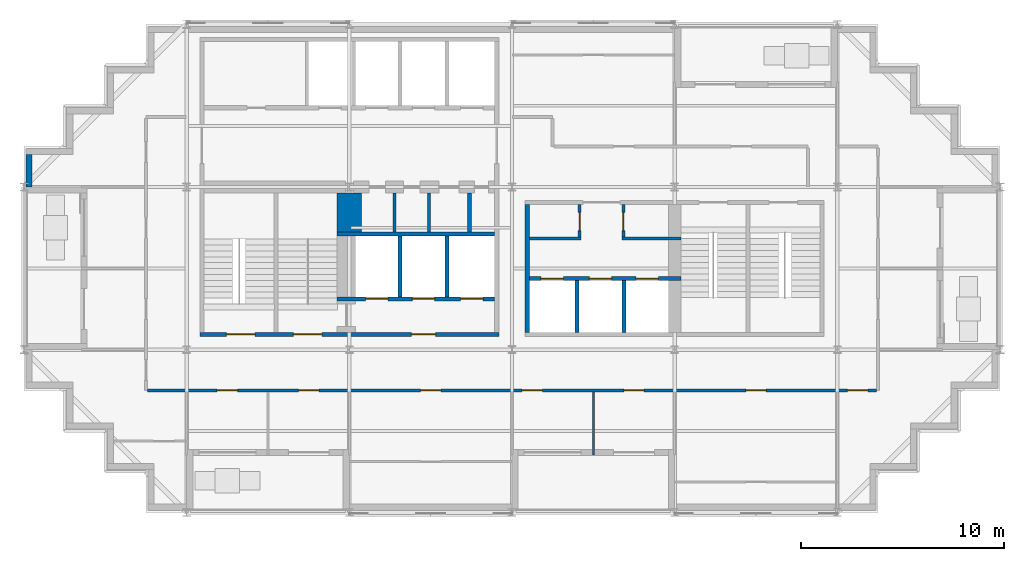
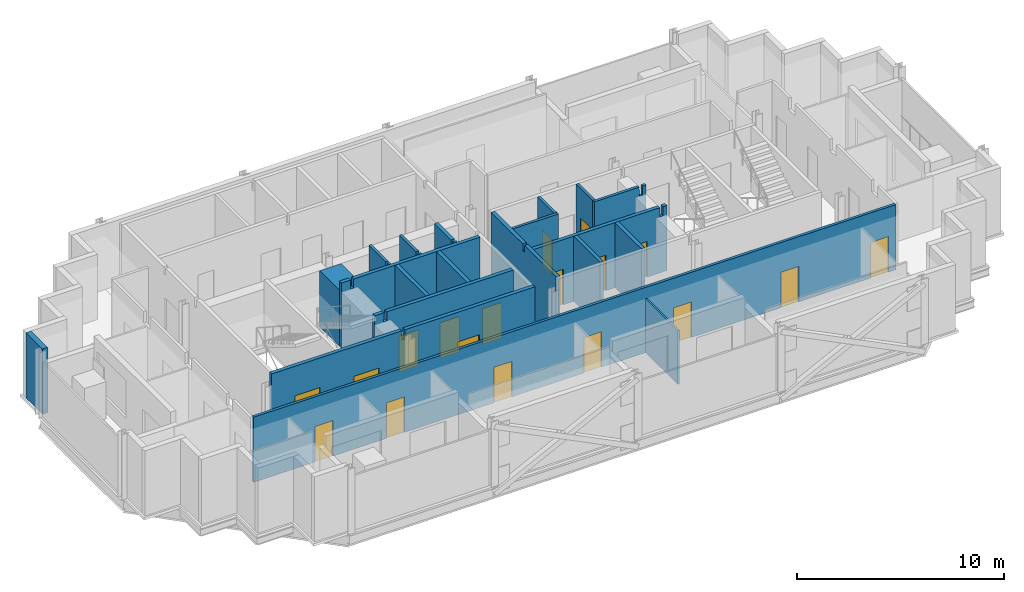
# One storey, part 5 of 10: 20 walls, 18 doors, 18 openings.
"""IFC4 building model written with IfcOpenShell, lengths in metres."""

from ifc_helpers import new_model, si_unit, direction, frame, frame_2d, origin, place, context, subcontext, project, spatial, polyline, rectangle, outline, extrude, material, layer, layer_set, type_object, element, fill, save


model = new_model("IFC4")

# Units and contexts
model_context = context("Model", 3, precision=1e-05, world=origin(), true_north=direction((0.0, 1.0)))
body_context = subcontext(model_context, "Body", "Model", "MODEL_VIEW")
ifc_project = project(units=[si_unit("LENGTHUNIT", "METRE"), si_unit("AREAUNIT", "SQUARE_METRE"), si_unit("VOLUMEUNIT", "CUBIC_METRE"), si_unit("PLANEANGLEUNIT", "RADIAN"), si_unit("MASSUNIT", "GRAM", prefix="KILO")], contexts=[model_context])

# Site, building, storey
site_placement = place(None, origin())
site = spatial("IfcSite", under=ifc_project, at=site_placement, CompositionType="ELEMENT")
building_placement = place(site_placement, origin())
building = spatial("IfcBuilding", under=site, at=building_placement, Name="Immortelle Media Tower", CompositionType="ELEMENT")
storey_placement = place(building_placement, frame((0.0, 0.0, 251.0)))
storey = spatial("IfcBuildingStorey", under=building, at=storey_placement, Name="L54", CompositionType="ELEMENT", Elevation=251.0)

# Walls
ifc_material_1 = material(Name="Fire-rated gypsum board", Category="gypsum")
ifc_layer_1 = layer(ifc_material_1, 0.02490234375)
ifc_material_2 = material(Name="Steel ASTM A653 SS Gr 50 stud frame with mineral wool", Category="steel")
ifc_layer_2 = layer(ifc_material_2, 0.10009765625)
ifc_layer_3 = layer(ifc_material_1, 0.02490234375)
ifc_layer_set_1 = layer_set([ifc_layer_1, ifc_layer_2, ifc_layer_3], Name="Steel ASTM A653 SS Gr 50 stud frame with mineral wool")
wall_type_1 = type_object("IfcWallType", Name="Core partition 150", PredefinedType="PARTITIONING", material=ifc_layer_set_1)
for number, where, z_axis, x_axis, name in (
    (1, (18.22509765625, 13.800048828125, 0.0), (0.0, 0.0, 1.0), (0.0, 1.0, 0.0), "Core partition SW"),
    (2, (19.925048828125, 13.800048828125, 0.0), (0.0, 0.0, 1.0), (0.0, 1.0, 0.0), "Core partition SW"),
):
    element("IfcWall", number, at=place(storey_placement, frame(where, z_axis=z_axis, x_axis=x_axis)), inside=storey, type_object=wall_type_1, Name=name, PredefinedType="PARTITIONING", context=body_context, shape_type="SweptSolid", body=[
        extrude(outline(polyline([(0.0, 0.0), (1.89990234375, 0.0), (1.89990234375, 3.85009765625), (0.27490234375, 3.85009765625), (0.27392578125, 3.43994140625), (0.1259765625, 3.43994140625), (0.125, 3.85009765625), (0.0, 3.85009765625), (0.0, 0.0)])), frame((0.0, 0.074951171875, 0.0), z_axis=(0.0, -1.0, 0.0), x_axis=(1.0, 0.0, 0.0)), (0.0, 0.0, 1.0), 0.14990234375),
    ])
wall_1_placement = place(storey_placement, frame((24.85009765625, 13.47509765625, 0.0), z_axis=(0.0, 0.0, 1.0), x_axis=(1.0, 0.0, 0.0)))
element("IfcWall", 3, at=wall_1_placement, inside=storey, type_object=wall_type_1, Name="Core partition SE", PredefinedType="PARTITIONING", context=body_context, shape_type="SweptSolid", body=[
    extrude(rectangle(XDim=2.5498046875, YDim=0.14990234375, at=frame_2d((1.27490234375, 0.0))), origin(), (0.0, 0.0, 1.0), 3.85009765625),
])

# Wall, opening, door
wall_2_placement = place(storey_placement, frame((27.324951171875, 13.550048828125, 0.0), z_axis=(0.0, 0.0, 1.0), x_axis=(0.0, 1.0, 0.0)))
wall_2 = element("IfcWall", 4, at=wall_2_placement, inside=storey, type_object=wall_type_1, Name="Core partition SE", PredefinedType="PARTITIONING", context=body_context, shape_type="SweptSolid", body=[
    extrude(rectangle(XDim=1.599853515625, YDim=0.14990234375, at=frame_2d((0.7998046875, 0.0))), origin(), (0.0, 0.0, 1.0), 3.85009765625),
])
opening_1_placement = place(wall_2_placement, frame((0.300048828125, 0.0, 0.0)))
opening_1 = element("IfcOpeningElement", 5, at=opening_1_placement, cuts=wall_2, Name="Opening X1-K020", PredefinedType="OPENING", context=body_context, shape_type="SweptSolid", body=[
    extrude(rectangle(XDim=0.89990234375, YDim=2.10009765625, at=frame_2d((0.449951171875, 1.050048828125))), frame((0.0, 0.0849609375, 0.0), z_axis=(0.0, -1.0, 0.0), x_axis=(1.0, 0.0, 0.0)), (0.0, 0.0, 1.0), 0.169921875),
])
ifc_material_3 = material(Name="Galvanised steel door leaf and frame ASTM A653", Category="steel")
door_type_1 = type_object("IfcDoorType", Name="Service door 900 x 2100", OperationType="NOTDEFINED", PredefinedType="NOTDEFINED", material=ifc_material_3)
door_1_placement = place(opening_1_placement, origin())
door_1 = element("IfcDoor", 6, at=door_1_placement, inside=storey, type_object=door_type_1, Name="Service X1-K020", OperationType="SINGLE_SWING_LEFT", OverallHeight=2.10009765625, OverallWidth=0.89990234375, PredefinedType="NOTDEFINED", context=body_context, shape_type="SweptSolid", body=[
    extrude(rectangle(XDim=0.89990234375, YDim=2.10009765625, at=frame_2d((0.449951171875, 1.050048828125))), frame((0.0, 0.02490234375, 0.0), z_axis=(0.0, -1.0, 0.0), x_axis=(1.0, 0.0, 0.0)), (0.0, 0.0, 1.0), 0.050048828125),
])
fill(opening_1, door_1)

# Wall
wall_3_placement = place(storey_placement, frame((29.39990234375, 13.47509765625, 0.0), z_axis=(0.0, 0.0, 1.0), x_axis=(1.0, 0.0, 0.0)))
element("IfcWall", 7, at=wall_3_placement, inside=storey, type_object=wall_type_1, Name="Core partition SE", PredefinedType="PARTITIONING", context=body_context, shape_type="SweptSolid", body=[
    extrude(outline(polyline([(0.0, 0.0), (2.900146484375, 0.0), (2.89990234375, 3.85009765625), (2.6884765625, 3.85009765625), (2.6875, 3.30810546875), (2.512451171875, 3.30810546875), (2.511474609375, 3.85009765625), (0.0, 3.85009765625), (0.0, 0.0)])), frame((0.0, 0.074951171875, 0.0), z_axis=(0.0, -1.0, 0.0), x_axis=(1.0, 0.0, 0.0)), (0.0, 0.0, 1.0), 0.14990234375),
])

# Wall, opening, door
wall_4_placement = place(storey_placement, frame((29.47509765625, 13.550048828125, 0.0), z_axis=(0.0, 0.0, 1.0), x_axis=(0.0, 1.0, 0.0)))
wall_4 = element("IfcWall", 8, at=wall_4_placement, inside=storey, type_object=wall_type_1, Name="Core partition SE", PredefinedType="PARTITIONING", context=body_context, shape_type="SweptSolid", body=[
    extrude(rectangle(XDim=1.599853515625, YDim=0.14990234375, at=frame_2d((0.7998046875, 0.0))), origin(), (0.0, 0.0, 1.0), 3.85009765625),
])
opening_2_placement = place(wall_4_placement, frame((1.199951171875, 0.0, 0.0), z_axis=(0.0, 0.0, 1.0), x_axis=(-1.0, 0.0, 0.0)))
opening_2 = element("IfcOpeningElement", 9, at=opening_2_placement, cuts=wall_4, Name="Opening X1-K023", PredefinedType="OPENING", context=body_context, shape_type="SweptSolid", body=[
    extrude(rectangle(XDim=0.89990234375, YDim=2.10009765625, at=frame_2d((0.449951171875, 1.050048828125))), frame((0.0, 0.0849609375, 0.0), z_axis=(0.0, -1.0, 0.0), x_axis=(1.0, 0.0, 0.0)), (0.0, 0.0, 1.0), 0.169921875),
])
ifc_material_4 = material(Name="Timber", Category="wood")
door_type_2 = type_object("IfcDoorType", Name="Room door 900 x 2100", OperationType="NOTDEFINED", PredefinedType="NOTDEFINED", material=ifc_material_4)
door_2_placement = place(opening_2_placement, origin())
door_2 = element("IfcDoor", 10, at=door_2_placement, inside=storey, type_object=door_type_2, Name="Room X1-K023", OperationType="SINGLE_SWING_LEFT", OverallHeight=2.10009765625, OverallWidth=0.89990234375, PredefinedType="NOTDEFINED", context=body_context, shape_type="SweptSolid", body=[
    extrude(rectangle(XDim=0.89990234375, YDim=2.10009765625, at=frame_2d((0.449951171875, 1.050048828125))), frame((0.0, 0.02490234375, 0.0), z_axis=(0.0, -1.0, 0.0), x_axis=(1.0, 0.0, 0.0)), (0.0, 0.0, 1.0), 0.050048828125),
])
fill(opening_2, door_2)

# Wall, openings, doors
ifc_layer_4 = layer(ifc_material_1, 0.03759765625)
ifc_layer_5 = layer(ifc_material_2, 0.125)
ifc_layer_6 = layer(ifc_material_1, 0.03759765625)
ifc_layer_set_2 = layer_set([ifc_layer_4, ifc_layer_5, ifc_layer_6], Name="Steel ASTM A653 SS Gr 50 stud frame with mineral wool")
wall_type_2 = type_object("IfcWallType", Name="Core shaft wall 200", PredefinedType="PARTITIONING", material=ifc_layer_set_2)
wall_5_placement = place(storey_placement, frame((15.39990234375, 10.5, 0.0), z_axis=(0.0, 0.0, 1.0), x_axis=(1.0, 0.0, 0.0)))
wall_5 = element("IfcWall", 11, at=wall_5_placement, inside=storey, type_object=wall_type_2, Name="Core shaft wall SW", PredefinedType="PARTITIONING", context=body_context, shape_type="SweptSolid", body=[
    extrude(outline(polyline([(0.0, 0.0), (7.75, 0.0), (7.75, 3.85009765625), (0.6884765625, 3.85009765625), (0.6875, 3.30810546875), (0.512451171875, 3.30810546875), (0.511474609375, 3.85009765625), (0.0, 3.85009765625), (0.0, 0.0)])), frame((0.0, 0.10009765625, 0.0), z_axis=(0.0, -1.0, 0.0), x_axis=(1.0, 0.0, 0.0)), (0.0, 0.0, 1.0), 0.199951171875),
])
opening_3_placement = place(wall_5_placement, frame((1.39990234375, 0.0, 0.0)))
opening_3 = element("IfcOpeningElement", 12, at=opening_3_placement, cuts=wall_5, Name="Opening LD", PredefinedType="OPENING", context=body_context, shape_type="SweptSolid", body=[
    extrude(rectangle(XDim=1.10009765625, YDim=2.10009765625, at=frame_2d((0.550048828125, 1.050048828125))), frame((0.0, 0.10986328125, 0.0), z_axis=(0.0, -1.0, 0.0), x_axis=(1.0, 0.0, 0.0)), (0.0, 0.0, 1.0), 0.219970703125),
])
opening_4_placement = place(wall_5_placement, frame((3.699951171875, 0.0, 0.0)))
opening_4 = element("IfcOpeningElement", 13, at=opening_4_placement, cuts=wall_5, Name="Opening LD", PredefinedType="OPENING", context=body_context, shape_type="SweptSolid", body=[
    extrude(rectangle(XDim=1.10009765625, YDim=2.10009765625, at=frame_2d((0.550048828125, 1.050048828125))), frame((0.0, 0.10986328125, 0.0), z_axis=(0.0, -1.0, 0.0), x_axis=(1.0, 0.0, 0.0)), (0.0, 0.0, 1.0), 0.219970703125),
])
opening_5_placement = place(wall_5_placement, frame((6.074951171875, 0.0, 0.0)))
opening_5 = element("IfcOpeningElement", 14, at=opening_5_placement, cuts=wall_5, Name="Opening LD", PredefinedType="OPENING", context=body_context, shape_type="SweptSolid", body=[
    extrude(rectangle(XDim=1.10009765625, YDim=2.10009765625, at=frame_2d((0.550048828125, 1.050048828125))), frame((0.0, 0.10986328125, 0.0), z_axis=(0.0, -1.0, 0.0), x_axis=(1.0, 0.0, 0.0)), (0.0, 0.0, 1.0), 0.219970703125),
])
ifc_material_5 = material(Name="Stainless steel AISI 304", Category="steel")
door_type_3 = type_object("IfcDoorType", Name="Landing door 1100 x 2100", OperationType="SLIDING_TO_LEFT", PredefinedType="NOTDEFINED", material=ifc_material_5)
door_3_placement = place(opening_3_placement, origin())
door_3 = element("IfcDoor", 15, at=door_3_placement, inside=storey, type_object=door_type_3, Name="Landing door FF1 L54", OperationType="SLIDING_TO_LEFT", OverallHeight=2.10009765625, OverallWidth=1.10009765625, PredefinedType="NOTDEFINED", context=body_context, shape_type="SweptSolid", body=[
    extrude(rectangle(XDim=1.10009765625, YDim=2.10009765625, at=frame_2d((0.550048828125, 1.050048828125))), frame((0.0, 0.02490234375, 0.0), z_axis=(0.0, -1.0, 0.0), x_axis=(1.0, 0.0, 0.0)), (0.0, 0.0, 1.0), 0.050048828125),
])
fill(opening_3, door_3)
door_4_placement = place(opening_4_placement, origin())
door_4 = element("IfcDoor", 16, at=door_4_placement, inside=storey, type_object=door_type_3, Name="Landing door FF2 L54", OperationType="SLIDING_TO_LEFT", OverallHeight=2.10009765625, OverallWidth=1.10009765625, PredefinedType="NOTDEFINED", context=body_context, shape_type="SweptSolid", body=[
    extrude(rectangle(XDim=1.10009765625, YDim=2.10009765625, at=frame_2d((0.550048828125, 1.050048828125))), frame((0.0, 0.02490234375, 0.0), z_axis=(0.0, -1.0, 0.0), x_axis=(1.0, 0.0, 0.0)), (0.0, 0.0, 1.0), 0.050048828125),
])
fill(opening_4, door_4)
door_5_placement = place(opening_5_placement, origin())
door_5 = element("IfcDoor", 17, at=door_5_placement, inside=storey, type_object=door_type_3, Name="Landing door FF3 L54", OperationType="SLIDING_TO_LEFT", OverallHeight=2.10009765625, OverallWidth=1.10009765625, PredefinedType="NOTDEFINED", context=body_context, shape_type="SweptSolid", body=[
    extrude(rectangle(XDim=1.10009765625, YDim=2.10009765625, at=frame_2d((0.550048828125, 1.050048828125))), frame((0.0, 0.02490234375, 0.0), z_axis=(0.0, -1.0, 0.0), x_axis=(1.0, 0.0, 0.0)), (0.0, 0.0, 1.0), 0.050048828125),
])
fill(opening_5, door_5)

# Walls
wall_6_placement = place(storey_placement, frame((15.39990234375, 13.699951171875, 0.0), z_axis=(0.0, 0.0, 1.0), x_axis=(1.0, 0.0, 0.0)))
element("IfcWall", 18, at=wall_6_placement, inside=storey, type_object=wall_type_2, Name="Core shaft wall SW", PredefinedType="PARTITIONING", context=body_context, shape_type="SweptSolid", body=[
    extrude(outline(polyline([(0.0, 0.0), (7.75, 0.0), (7.75, 3.85009765625), (0.6884765625, 3.85009765625), (0.6875, 3.30810546875), (0.512451171875, 3.30810546875), (0.511474609375, 3.85009765625), (0.0, 3.85009765625), (0.0, 0.0)])), frame((0.0, 0.10009765625, 0.0), z_axis=(0.0, -1.0, 0.0), x_axis=(1.0, 0.0, 0.0)), (0.0, 0.0, 1.0), 0.199951171875),
])
for number, where, z_axis, x_axis, name in (
    (19, (18.5, 10.60009765625, 0.0), (0.0, 0.0, 1.0), (0.0, 1.0, 0.0), "Core shaft wall SW"),
    (20, (20.800048828125, 10.60009765625, 0.0), (0.0, 0.0, 1.0), (0.0, 1.0, 0.0), "Core shaft wall SW"),
):
    element("IfcWall", number, at=place(storey_placement, frame(where, z_axis=z_axis, x_axis=x_axis)), inside=storey, type_object=wall_type_2, Name=name, PredefinedType="PARTITIONING", context=body_context, shape_type="SweptSolid", body=[
        extrude(rectangle(XDim=3.0, YDim=0.199951171875, at=frame_2d((1.5, 0.0))), origin(), (0.0, 0.0, 1.0), 3.85009765625),
    ])
wall_7_placement = place(storey_placement, frame((21.89990234375, 13.800048828125, 0.0), z_axis=(0.0, 0.0, 1.0), x_axis=(0.0, 1.0, 0.0)))
element("IfcWall", 21, at=wall_7_placement, inside=storey, type_object=wall_type_2, Name="Core shaft wall SW", PredefinedType="PARTITIONING", context=body_context, shape_type="SweptSolid", body=[
    extrude(outline(polyline([(0.0, 0.0), (1.89990234375, 0.0), (1.89990234375, 3.85009765625), (0.27490234375, 3.85009765625), (0.27392578125, 3.43994140625), (0.1259765625, 3.43994140625), (0.125, 3.85009765625), (0.0, 3.85009765625), (0.0, 0.0)])), frame((0.0, 0.10009765625, 0.0), z_axis=(0.0, -1.0, 0.0), x_axis=(1.0, 0.0, 0.0)), (0.0, 0.0, 1.0), 0.199951171875),
])
wall_8_placement = place(storey_placement, frame((24.75, 8.85009765625, 0.0), z_axis=(0.0, 0.0, 1.0), x_axis=(0.0, 1.0, 0.0)))
element("IfcWall", 22, at=wall_8_placement, inside=storey, type_object=wall_type_2, Name="Core shaft wall SE", PredefinedType="PARTITIONING", context=body_context, shape_type="SweptSolid", body=[
    extrude(outline(polyline([(0.0, 0.0), (6.2998046875, 0.0), (6.300048828125, 3.85009765625), (3.22509765625, 3.85009765625), (3.22412109375, 3.43994140625), (3.075927734375, 3.43994140625), (3.074951171875, 3.85009765625), (0.0, 3.85009765625), (0.0, 0.0)])), frame((0.0, 0.10009765625, 0.0), z_axis=(0.0, -1.0, 0.0), x_axis=(1.0, 0.0, 0.0)), (0.0, 0.0, 1.0), 0.199951171875),
])

# Wall, openings, doors
wall_9_placement = place(storey_placement, frame((24.85009765625, 11.5, 0.0), z_axis=(0.0, 0.0, 1.0), x_axis=(1.0, 0.0, 0.0)))
wall_9 = element("IfcWall", 23, at=wall_9_placement, inside=storey, type_object=wall_type_2, Name="Core shaft wall SE", PredefinedType="PARTITIONING", context=body_context, shape_type="SweptSolid", body=[
    extrude(outline(polyline([(0.0, 0.0), (7.449951171875, 0.0), (7.449951171875, 3.85009765625), (7.238525390625, 3.85009765625), (7.237548828125, 3.30810546875), (7.0625, 3.30810546875), (7.0615234375, 3.85009765625), (0.0, 3.85009765625), (0.0, 0.0)])), frame((0.0, 0.10009765625, 0.0), z_axis=(0.0, -1.0, 0.0), x_axis=(1.0, 0.0, 0.0)), (0.0, 0.0, 1.0), 0.199951171875),
])
opening_6_placement = place(wall_9_placement, frame((0.574951171875, 0.0, 0.0)))
opening_6 = element("IfcOpeningElement", 24, at=opening_6_placement, cuts=wall_9, Name="Opening LD", PredefinedType="OPENING", context=body_context, shape_type="SweptSolid", body=[
    extrude(rectangle(XDim=1.10009765625, YDim=2.10009765625, at=frame_2d((0.550048828125, 1.050048828125))), frame((0.0, 0.10986328125, 0.0), z_axis=(0.0, -1.0, 0.0), x_axis=(1.0, 0.0, 0.0)), (0.0, 0.0, 1.0), 0.219970703125),
])
opening_7_placement = place(wall_9_placement, frame((2.949951171875, 0.0, 0.0)))
opening_7 = element("IfcOpeningElement", 25, at=opening_7_placement, cuts=wall_9, Name="Opening LD", PredefinedType="OPENING", context=body_context, shape_type="SweptSolid", body=[
    extrude(rectangle(XDim=1.10009765625, YDim=2.10009765625, at=frame_2d((0.550048828125, 1.050048828125))), frame((0.0, 0.10986328125, 0.0), z_axis=(0.0, -1.0, 0.0), x_axis=(1.0, 0.0, 0.0)), (0.0, 0.0, 1.0), 0.219970703125),
])
opening_8_placement = place(wall_9_placement, frame((5.25, 0.0, 0.0)))
opening_8 = element("IfcOpeningElement", 26, at=opening_8_placement, cuts=wall_9, Name="Opening LD", PredefinedType="OPENING", context=body_context, shape_type="SweptSolid", body=[
    extrude(rectangle(XDim=1.10009765625, YDim=2.10009765625, at=frame_2d((0.550048828125, 1.050048828125))), frame((0.0, 0.10986328125, 0.0), z_axis=(0.0, -1.0, 0.0), x_axis=(1.0, 0.0, 0.0)), (0.0, 0.0, 1.0), 0.219970703125),
])
door_6_placement = place(opening_6_placement, origin())
door_6 = element("IfcDoor", 27, at=door_6_placement, inside=storey, type_object=door_type_3, Name="Landing door HS1 L54", OperationType="SLIDING_TO_LEFT", OverallHeight=2.10009765625, OverallWidth=1.10009765625, PredefinedType="NOTDEFINED", context=body_context, shape_type="SweptSolid", body=[
    extrude(rectangle(XDim=1.10009765625, YDim=2.10009765625, at=frame_2d((0.550048828125, 1.050048828125))), frame((0.0, 0.02490234375, 0.0), z_axis=(0.0, -1.0, 0.0), x_axis=(1.0, 0.0, 0.0)), (0.0, 0.0, 1.0), 0.050048828125),
])
fill(opening_6, door_6)
door_7_placement = place(opening_7_placement, origin())
door_7 = element("IfcDoor", 28, at=door_7_placement, inside=storey, type_object=door_type_3, Name="Landing door HS2 L54", OperationType="SLIDING_TO_LEFT", OverallHeight=2.10009765625, OverallWidth=1.10009765625, PredefinedType="NOTDEFINED", context=body_context, shape_type="SweptSolid", body=[
    extrude(rectangle(XDim=1.10009765625, YDim=2.10009765625, at=frame_2d((0.550048828125, 1.050048828125))), frame((0.0, 0.02490234375, 0.0), z_axis=(0.0, -1.0, 0.0), x_axis=(1.0, 0.0, 0.0)), (0.0, 0.0, 1.0), 0.050048828125),
])
fill(opening_7, door_7)
door_8_placement = place(opening_8_placement, origin())
door_8 = element("IfcDoor", 29, at=door_8_placement, inside=storey, type_object=door_type_3, Name="Landing door HS3 L54", OperationType="SLIDING_TO_LEFT", OverallHeight=2.10009765625, OverallWidth=1.10009765625, PredefinedType="NOTDEFINED", context=body_context, shape_type="SweptSolid", body=[
    extrude(rectangle(XDim=1.10009765625, YDim=2.10009765625, at=frame_2d((0.550048828125, 1.050048828125))), frame((0.0, 0.02490234375, 0.0), z_axis=(0.0, -1.0, 0.0), x_axis=(1.0, 0.0, 0.0)), (0.0, 0.0, 1.0), 0.050048828125),
])
fill(opening_8, door_8)

# Walls
for number, where, z_axis, x_axis, name in (
    (30, (27.199951171875, 8.85009765625, 0.0), (0.0, 0.0, 1.0), (0.0, 1.0, 0.0), "Core shaft wall SE"),
    (31, (29.5, 8.85009765625, 0.0), (0.0, 0.0, 1.0), (0.0, 1.0, 0.0), "Core shaft wall SE"),
):
    element("IfcWall", number, at=place(storey_placement, frame(where, z_axis=z_axis, x_axis=x_axis)), inside=storey, type_object=wall_type_2, Name=name, PredefinedType="PARTITIONING", context=body_context, shape_type="SweptSolid", body=[
        extrude(rectangle(XDim=2.5498046875, YDim=0.199951171875, at=frame_2d((1.27490234375, 0.0))), origin(), (0.0, 0.0, 1.0), 3.85009765625),
    ])

# Wall, openings, doors
ifc_layer_7 = layer(ifc_material_1, 0.012451171875)
ifc_layer_8 = layer(ifc_material_2, 0.125)
ifc_layer_9 = layer(ifc_material_1, 0.012451171875)
ifc_layer_set_3 = layer_set([ifc_layer_7, ifc_layer_8, ifc_layer_9], Name="Steel ASTM A653 SS Gr 50 stud frame with mineral wool")
wall_type_3 = type_object("IfcWallType", Name="Corridor wall 150", PredefinedType="PARTITIONING", material=ifc_layer_set_3)
wall_10_placement = place(storey_placement, frame((6.074951171875, 6.0, 0.0), z_axis=(0.0, 0.0, 1.0), x_axis=(1.0, 0.0, 0.0)))
wall_10 = element("IfcWall", 32, at=wall_10_placement, inside=storey, type_object=wall_type_3, Name="Partition L54-013", PredefinedType="PARTITIONING", context=body_context, shape_type="SweptSolid", body=[
    extrude(rectangle(XDim=35.85009765625, YDim=0.14990234375, at=frame_2d((17.925048828125, 0.0))), origin(), (0.0, 0.0, 1.0), 3.85009765625),
])
opening_9_placement = place(wall_10_placement, frame((14.425048828125, 0.0, 0.0), z_axis=(0.0, 0.0, 1.0), x_axis=(-1.0, 0.0, 0.0)))
opening_9 = element("IfcOpeningElement", 33, at=opening_9_placement, cuts=wall_10, Name="Opening X1-F001", PredefinedType="OPENING", context=body_context, shape_type="SweptSolid", body=[
    extrude(rectangle(XDim=1.0, YDim=2.10009765625, at=frame_2d((0.5, 1.050048828125))), frame((0.0, 0.0849609375, 0.0), z_axis=(0.0, -1.0, 0.0), x_axis=(1.0, 0.0, 0.0)), (0.0, 0.0, 1.0), 0.169921875),
])
opening_10_placement = place(wall_10_placement, frame((30.425048828125, 0.0, 0.0), z_axis=(0.0, 0.0, 1.0), x_axis=(-1.0, 0.0, 0.0)))
opening_10 = element("IfcOpeningElement", 34, at=opening_10_placement, cuts=wall_10, Name="Opening X1-F003", PredefinedType="OPENING", context=body_context, shape_type="SweptSolid", body=[
    extrude(rectangle(XDim=1.0, YDim=2.10009765625, at=frame_2d((0.5, 1.050048828125))), frame((0.0, 0.0849609375, 0.0), z_axis=(0.0, -1.0, 0.0), x_axis=(1.0, 0.0, 0.0)), (0.0, 0.0, 1.0), 0.169921875),
])
opening_11_placement = place(wall_10_placement, frame((4.425048828125, 0.0, 0.0), z_axis=(0.0, 0.0, 1.0), x_axis=(-1.0, 0.0, 0.0)))
opening_11 = element("IfcOpeningElement", 35, at=opening_11_placement, cuts=wall_10, Name="Opening X1-F005", PredefinedType="OPENING", context=body_context, shape_type="SweptSolid", body=[
    extrude(rectangle(XDim=1.0, YDim=2.10009765625, at=frame_2d((0.5, 1.050048828125))), frame((0.0, 0.0849609375, 0.0), z_axis=(0.0, -1.0, 0.0), x_axis=(1.0, 0.0, 0.0)), (0.0, 0.0, 1.0), 0.169921875),
])
opening_12_placement = place(wall_10_placement, frame((8.425048828125, 0.0, 0.0), z_axis=(0.0, 0.0, 1.0), x_axis=(-1.0, 0.0, 0.0)))
opening_12 = element("IfcOpeningElement", 36, at=opening_12_placement, cuts=wall_10, Name="Opening X1-F006", PredefinedType="OPENING", context=body_context, shape_type="SweptSolid", body=[
    extrude(rectangle(XDim=1.0, YDim=2.10009765625, at=frame_2d((0.5, 1.050048828125))), frame((0.0, 0.0849609375, 0.0), z_axis=(0.0, -1.0, 0.0), x_axis=(1.0, 0.0, 0.0)), (0.0, 0.0, 1.0), 0.169921875),
])
opening_13_placement = place(wall_10_placement, frame((19.425048828125, 0.0, 0.0), z_axis=(0.0, 0.0, 1.0), x_axis=(-1.0, 0.0, 0.0)))
opening_13 = element("IfcOpeningElement", 37, at=opening_13_placement, cuts=wall_10, Name="Opening X1-F007", PredefinedType="OPENING", context=body_context, shape_type="SweptSolid", body=[
    extrude(rectangle(XDim=1.0, YDim=2.10009765625, at=frame_2d((0.5, 1.050048828125))), frame((0.0, 0.0849609375, 0.0), z_axis=(0.0, -1.0, 0.0), x_axis=(1.0, 0.0, 0.0)), (0.0, 0.0, 1.0), 0.169921875),
])
opening_14_placement = place(wall_10_placement, frame((24.425048828125, 0.0, 0.0), z_axis=(0.0, 0.0, 1.0), x_axis=(-1.0, 0.0, 0.0)))
opening_14 = element("IfcOpeningElement", 38, at=opening_14_placement, cuts=wall_10, Name="Opening X1-F008", PredefinedType="OPENING", context=body_context, shape_type="SweptSolid", body=[
    extrude(rectangle(XDim=1.0, YDim=2.10009765625, at=frame_2d((0.5, 1.050048828125))), frame((0.0, 0.0849609375, 0.0), z_axis=(0.0, -1.0, 0.0), x_axis=(1.0, 0.0, 0.0)), (0.0, 0.0, 1.0), 0.169921875),
])
opening_15_placement = place(wall_10_placement, frame((35.425048828125, 0.0, 0.0), z_axis=(0.0, 0.0, 1.0), x_axis=(-1.0, 0.0, 0.0)))
opening_15 = element("IfcOpeningElement", 39, at=opening_15_placement, cuts=wall_10, Name="Opening X1-F011", PredefinedType="OPENING", context=body_context, shape_type="SweptSolid", body=[
    extrude(rectangle(XDim=1.0, YDim=2.10009765625, at=frame_2d((0.5, 1.050048828125))), frame((0.0, 0.0849609375, 0.0), z_axis=(0.0, -1.0, 0.0), x_axis=(1.0, 0.0, 0.0)), (0.0, 0.0, 1.0), 0.169921875),
])
ifc_material_6 = material(Name="Timber veneered door leaf, galvanised steel frame ASTM A653", Category="steel")
door_type_4 = type_object("IfcDoorType", Name="Room door 1000 x 2100", OperationType="NOTDEFINED", PredefinedType="DOOR", material=ifc_material_6)
door_9_placement = place(opening_9_placement, origin())
door_9 = element("IfcDoor", 40, at=door_9_placement, inside=storey, type_object=door_type_4, Name="Door X1-F001", OperationType="SINGLE_SWING_RIGHT", OverallHeight=2.10009765625, OverallWidth=1.0, PredefinedType="DOOR", context=body_context, shape_type="SweptSolid", body=[
    extrude(rectangle(XDim=1.0, YDim=2.10009765625, at=frame_2d((0.5, 1.050048828125))), frame((0.0, 0.02490234375, 0.0), z_axis=(0.0, -1.0, 0.0), x_axis=(1.0, 0.0, 0.0)), (0.0, 0.0, 1.0), 0.050048828125),
])
fill(opening_9, door_9)
door_10_placement = place(opening_10_placement, origin())
door_10 = element("IfcDoor", 41, at=door_10_placement, inside=storey, type_object=door_type_4, Name="Door X1-F003", OperationType="SINGLE_SWING_RIGHT", OverallHeight=2.10009765625, OverallWidth=1.0, PredefinedType="DOOR", context=body_context, shape_type="SweptSolid", body=[
    extrude(rectangle(XDim=1.0, YDim=2.10009765625, at=frame_2d((0.5, 1.050048828125))), frame((0.0, 0.02490234375, 0.0), z_axis=(0.0, -1.0, 0.0), x_axis=(1.0, 0.0, 0.0)), (0.0, 0.0, 1.0), 0.050048828125),
])
fill(opening_10, door_10)
door_11_placement = place(opening_11_placement, origin())
door_11 = element("IfcDoor", 42, at=door_11_placement, inside=storey, type_object=door_type_4, Name="Door X1-F005", OperationType="SINGLE_SWING_RIGHT", OverallHeight=2.10009765625, OverallWidth=1.0, PredefinedType="DOOR", context=body_context, shape_type="SweptSolid", body=[
    extrude(rectangle(XDim=1.0, YDim=2.10009765625, at=frame_2d((0.5, 1.050048828125))), frame((0.0, 0.02490234375, 0.0), z_axis=(0.0, -1.0, 0.0), x_axis=(1.0, 0.0, 0.0)), (0.0, 0.0, 1.0), 0.050048828125),
])
fill(opening_11, door_11)
door_12_placement = place(opening_12_placement, origin())
door_12 = element("IfcDoor", 43, at=door_12_placement, inside=storey, type_object=door_type_4, Name="Door X1-F006", OperationType="SINGLE_SWING_RIGHT", OverallHeight=2.10009765625, OverallWidth=1.0, PredefinedType="DOOR", context=body_context, shape_type="SweptSolid", body=[
    extrude(rectangle(XDim=1.0, YDim=2.10009765625, at=frame_2d((0.5, 1.050048828125))), frame((0.0, 0.02490234375, 0.0), z_axis=(0.0, -1.0, 0.0), x_axis=(1.0, 0.0, 0.0)), (0.0, 0.0, 1.0), 0.050048828125),
])
fill(opening_12, door_12)
door_13_placement = place(opening_13_placement, origin())
door_13 = element("IfcDoor", 44, at=door_13_placement, inside=storey, type_object=door_type_4, Name="Door X1-F007", OperationType="SINGLE_SWING_RIGHT", OverallHeight=2.10009765625, OverallWidth=1.0, PredefinedType="DOOR", context=body_context, shape_type="SweptSolid", body=[
    extrude(rectangle(XDim=1.0, YDim=2.10009765625, at=frame_2d((0.5, 1.050048828125))), frame((0.0, 0.02490234375, 0.0), z_axis=(0.0, -1.0, 0.0), x_axis=(1.0, 0.0, 0.0)), (0.0, 0.0, 1.0), 0.050048828125),
])
fill(opening_13, door_13)
door_14_placement = place(opening_14_placement, origin())
door_14 = element("IfcDoor", 45, at=door_14_placement, inside=storey, type_object=door_type_4, Name="Door X1-F008", OperationType="SINGLE_SWING_LEFT", OverallHeight=2.10009765625, OverallWidth=1.0, PredefinedType="DOOR", context=body_context, shape_type="SweptSolid", body=[
    extrude(rectangle(XDim=1.0, YDim=2.10009765625, at=frame_2d((0.5, 1.050048828125))), frame((0.0, 0.02490234375, 0.0), z_axis=(0.0, -1.0, 0.0), x_axis=(1.0, 0.0, 0.0)), (0.0, 0.0, 1.0), 0.050048828125),
])
fill(opening_14, door_14)
door_15_placement = place(opening_15_placement, origin())
door_15 = element("IfcDoor", 46, at=door_15_placement, inside=storey, type_object=door_type_4, Name="Door X1-F011", OperationType="SINGLE_SWING_RIGHT", OverallHeight=2.10009765625, OverallWidth=1.0, PredefinedType="DOOR", context=body_context, shape_type="SweptSolid", body=[
    extrude(rectangle(XDim=1.0, YDim=2.10009765625, at=frame_2d((0.5, 1.050048828125))), frame((0.0, 0.02490234375, 0.0), z_axis=(0.0, -1.0, 0.0), x_axis=(1.0, 0.0, 0.0)), (0.0, 0.0, 1.0), 0.050048828125),
])
fill(opening_15, door_15)

# Walls
ifc_material_7 = material(Name="Pale aluminium cladding panel", Category="aluminium")
ifc_layer_10 = layer(ifc_material_7, 0.030029296875)
ifc_layer_11 = layer(ifc_material_2, 0.257568359375)
ifc_material_8 = material(Name="Moisture-resistant gypsum board", Category="gypsum")
ifc_layer_12 = layer(ifc_material_8, 0.012451171875)
ifc_layer_set_4 = layer_set([ifc_layer_10, ifc_layer_11, ifc_layer_12], Name="Steel ASTM A653 SS Gr 50 stud frame with mineral wool")
wall_type_4 = type_object("IfcWallType", Name="Facade wall 300", PredefinedType="SOLIDWALL", material=ifc_layer_set_4)
wall_11_placement = place(storey_placement, frame((0.25, 17.60009765625, 0.0), z_axis=(0.0, 0.0, 1.0), x_axis=(0.0, -1.0, 0.0)))
element("IfcWall", 47, at=wall_11_placement, inside=storey, type_object=wall_type_4, Name="Facade wall L54 W27", PredefinedType="SOLIDWALL", context=body_context, shape_type="SweptSolid", body=[
    extrude(rectangle(XDim=1.60009765625, YDim=0.300048828125, at=frame_2d((0.800048828125, 0.0))), origin(), (0.0, 0.0, 1.0), 3.85009765625),
])
ifc_material_9 = material(Name="Gypsum board", Category="gypsum")
ifc_layer_13 = layer(ifc_material_9, 0.012451171875)
ifc_layer_14 = layer(ifc_material_2, 0.074951171875)
ifc_layer_15 = layer(ifc_material_9, 0.012451171875)
ifc_layer_set_5 = layer_set([ifc_layer_13, ifc_layer_14, ifc_layer_15], Name="Steel ASTM A653 SS Gr 50 stud frame with mineral wool")
wall_type_5 = type_object("IfcWallType", Name="Partition 100", PredefinedType="PARTITIONING", material=ifc_layer_set_5)
wall_12_placement = place(storey_placement, frame((28.0, 2.830078125, 0.0), z_axis=(0.0, 0.0, 1.0), x_axis=(0.0, 1.0, 0.0)))
element("IfcWall", 48, at=wall_12_placement, inside=storey, type_object=wall_type_5, Name="Partition L54-009", PredefinedType="PARTITIONING", context=body_context, shape_type="SweptSolid", body=[
    extrude(rectangle(XDim=3.094970703125, YDim=0.10009765625, at=frame_2d((1.54736328125, 0.0))), origin(), (0.0, 0.0, 1.0), 3.172119140625),
])
ifc_material_10 = material(Name="Concrete C60", Category="concrete")
ifc_layer_16 = layer(ifc_material_10, 1.199951171875)
ifc_layer_set_6 = layer_set([ifc_layer_16], Name="Concrete C60")
wall_type_6 = type_object("IfcWallType", Name="Stair shaft wall 1200", PredefinedType="PARTITIONING", material=ifc_layer_set_6)
wall_13_placement = place(storey_placement, frame((16.0, 13.800048828125, 0.0), z_axis=(0.0, 0.0, 1.0), x_axis=(0.0, 1.0, 0.0)))
element("IfcWall", 49, at=wall_13_placement, inside=storey, type_object=wall_type_6, Name="Stair shaft wall SW", PredefinedType="PARTITIONING", context=body_context, shape_type="SweptSolid", body=[
    extrude(rectangle(XDim=1.89990234375, YDim=1.199951171875, at=frame_2d((0.949951171875, 0.0))), origin(), (0.0, 0.0, 1.0), 3.30810546875),
])

# Wall, openings, doors
ifc_layer_17 = layer(ifc_material_10, 0.199951171875)
ifc_layer_set_7 = layer_set([ifc_layer_17], Name="Concrete C60")
wall_type_7 = type_object("IfcWallType", Name="Stair shaft wall 200", PredefinedType="PARTITIONING", material=ifc_layer_set_7)
wall_14_placement = place(storey_placement, frame((8.64990234375, 8.75, 0.0), z_axis=(0.0, 0.0, 1.0), x_axis=(1.0, 0.0, 0.0)))
wall_14 = element("IfcWall", 50, at=wall_14_placement, inside=storey, type_object=wall_type_7, Name="Stair shaft wall SW", PredefinedType="PARTITIONING", context=body_context, shape_type="SweptSolid", body=[
    extrude(outline(polyline([(0.0, 0.0), (14.7001953125, 0.0), (14.699951171875, 3.85009765625), (7.4384765625, 3.85009765625), (7.4375, 3.30810546875), (7.262451171875, 3.30810546875), (7.261474609375, 3.85009765625), (0.0, 3.85009765625), (0.0, 0.0)])), frame((0.0, 0.10009765625, 0.0), z_axis=(0.0, -1.0, 0.0), x_axis=(1.0, 0.0, 0.0)), (0.0, 0.0, 1.0), 0.199951171875),
])
opening_16_placement = place(wall_14_placement, frame((1.300048828125, 0.0, 0.0)))
opening_16 = element("IfcOpeningElement", 51, at=opening_16_placement, cuts=wall_14, Name="Opening X1-K002", PredefinedType="OPENING", context=body_context, shape_type="SweptSolid", body=[
    extrude(rectangle(XDim=1.39990234375, YDim=2.10009765625, at=frame_2d((0.699951171875, 1.050048828125))), frame((0.0, 0.10986328125, 0.0), z_axis=(0.0, -1.0, 0.0), x_axis=(1.0, 0.0, 0.0)), (0.0, 0.0, 1.0), 0.219970703125),
])
opening_17_placement = place(wall_14_placement, frame((4.60009765625, 0.0, 0.0)))
opening_17 = element("IfcOpeningElement", 52, at=opening_17_placement, cuts=wall_14, Name="Opening X1-K004", PredefinedType="OPENING", context=body_context, shape_type="SweptSolid", body=[
    extrude(rectangle(XDim=1.39990234375, YDim=2.10009765625, at=frame_2d((0.699951171875, 1.050048828125))), frame((0.0, 0.10986328125, 0.0), z_axis=(0.0, -1.0, 0.0), x_axis=(1.0, 0.0, 0.0)), (0.0, 0.0, 1.0), 0.219970703125),
])
opening_18_placement = place(wall_14_placement, frame((10.39990234375, 0.0, 0.0)))
opening_18 = element("IfcOpeningElement", 53, at=opening_18_placement, cuts=wall_14, Name="Opening X1-K011", PredefinedType="OPENING", context=body_context, shape_type="SweptSolid", body=[
    extrude(rectangle(XDim=1.199951171875, YDim=2.10009765625, at=frame_2d((0.60009765625, 1.050048828125))), frame((0.0, 0.10986328125, 0.0), z_axis=(0.0, -1.0, 0.0), x_axis=(1.0, 0.0, 0.0)), (0.0, 0.0, 1.0), 0.219970703125),
])
door_type_5 = type_object("IfcDoorType", Name="Fire-fighting lobby door 1200 x 2100", OperationType="NOTDEFINED", PredefinedType="NOTDEFINED", material=ifc_material_3)
door_16_placement = place(opening_18_placement, origin())
door_16 = element("IfcDoor", 54, at=door_16_placement, inside=storey, type_object=door_type_5, Name="Fire-fighting lobby X1-K011", OperationType="SINGLE_SWING_LEFT", OverallHeight=2.10009765625, OverallWidth=1.199951171875, PredefinedType="NOTDEFINED", context=body_context, shape_type="SweptSolid", body=[
    extrude(rectangle(XDim=1.199951171875, YDim=2.10009765625, at=frame_2d((0.60009765625, 1.050048828125))), frame((0.0, 0.02490234375, 0.0), z_axis=(0.0, -1.0, 0.0), x_axis=(1.0, 0.0, 0.0)), (0.0, 0.0, 1.0), 0.050048828125),
])
fill(opening_18, door_16)
door_type_6 = type_object("IfcDoorType", Name="Stair door 1400 x 2100", OperationType="DOUBLE_DOOR_SINGLE_SWING", PredefinedType="NOTDEFINED", material=ifc_material_3)
door_17_placement = place(opening_16_placement, origin())
door_17 = element("IfcDoor", 55, at=door_17_placement, inside=storey, type_object=door_type_6, Name="Stair X1-K002", OperationType="DOUBLE_DOOR_SINGLE_SWING", OverallHeight=2.10009765625, OverallWidth=1.39990234375, PredefinedType="NOTDEFINED", context=body_context, shape_type="SweptSolid", body=[
    extrude(rectangle(XDim=1.39990234375, YDim=2.10009765625, at=frame_2d((0.699951171875, 1.050048828125))), frame((0.0, 0.02490234375, 0.0), z_axis=(0.0, -1.0, 0.0), x_axis=(1.0, 0.0, 0.0)), (0.0, 0.0, 1.0), 0.050048828125),
])
fill(opening_16, door_17)
door_18_placement = place(opening_17_placement, origin())
door_18 = element("IfcDoor", 56, at=door_18_placement, inside=storey, type_object=door_type_6, Name="Stair X1-K004", OperationType="DOUBLE_DOOR_SINGLE_SWING", OverallHeight=2.10009765625, OverallWidth=1.39990234375, PredefinedType="NOTDEFINED", context=body_context, shape_type="SweptSolid", body=[
    extrude(rectangle(XDim=1.39990234375, YDim=2.10009765625, at=frame_2d((0.699951171875, 1.050048828125))), frame((0.0, 0.02490234375, 0.0), z_axis=(0.0, -1.0, 0.0), x_axis=(1.0, 0.0, 0.0)), (0.0, 0.0, 1.0), 0.050048828125),
])
fill(opening_17, door_18)

save(model, "model.ifc")
